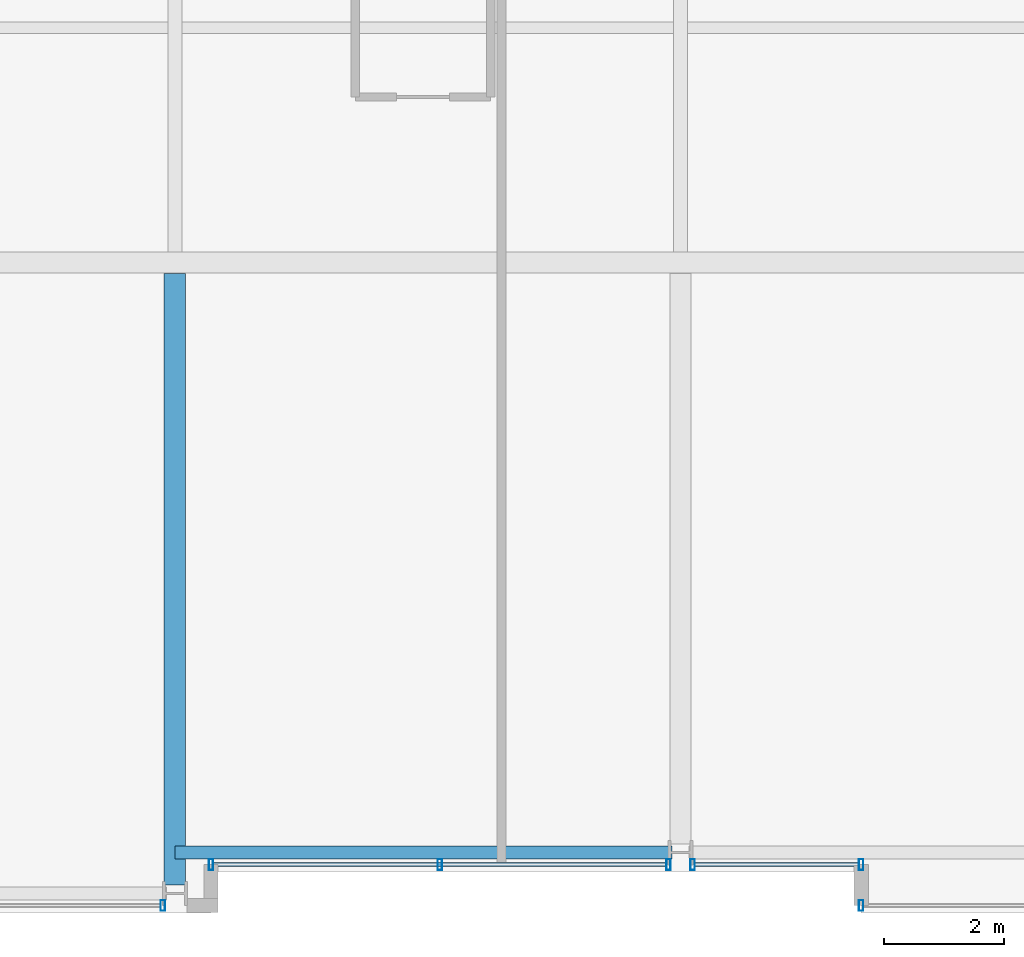
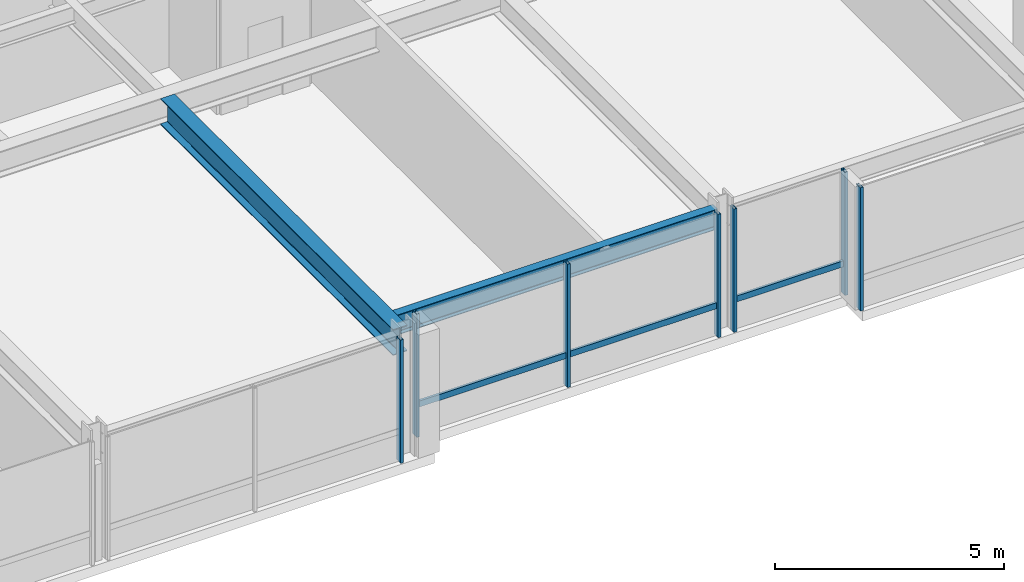
# One storey, part 5 of 32: 9 members, 2 beams, 4 elements without a shape of their own.
"""IFC4 building model written with IfcOpenShell, lengths in metres."""

from ifc_helpers import new_model, si_unit, direction, frame, origin, origin_2d, place, context, subcontext, project, spatial, hollow_rectangle, i_section, extrude, material, layer, layer_set, material_profile, profile_set, type_object, element, aggregate, save


model = new_model("IFC4")

# Units and contexts
model_context = context("Model", 3, precision=1e-05, world=origin(), true_north=direction((0.0, 1.0)))
body_context = subcontext(model_context, "Body", "Model", "MODEL_VIEW")
ifc_project = project(units=[si_unit("LENGTHUNIT", "METRE"), si_unit("AREAUNIT", "SQUARE_METRE"), si_unit("VOLUMEUNIT", "CUBIC_METRE"), si_unit("PLANEANGLEUNIT", "RADIAN"), si_unit("MASSUNIT", "GRAM", prefix="KILO")], contexts=[model_context])

# Site, building, storey
site_placement = place(None, origin())
site = spatial("IfcSite", under=ifc_project, at=site_placement, CompositionType="ELEMENT")
building_placement = place(site_placement, origin())
building = spatial("IfcBuilding", under=site, at=building_placement, Name="Drelvath Grand Hotel", CompositionType="ELEMENT")
storey_placement = place(building_placement, frame((0.0, 0.0, 164.60009765625)))
storey = spatial("IfcBuildingStorey", under=building, at=storey_placement, Name="L42", CompositionType="ELEMENT", Elevation=164.60009765625)

# Curtain wall, member
ifc_material_1 = material(Name="Brushed Pale-Silver Anodised Aluminium Frame", Category="aluminium")
ifc_layer = layer(ifc_material_1, 0.199951171875)
ifc_layer_set = layer_set([ifc_layer], Name="Brushed Pale-Silver Anodised Aluminium Frame")
curtain_wall_type = type_object("IfcCurtainWallType", Name="Stick Curtain Wall CW-04 Brushed Silver Upper-Mid", PredefinedType="NOTDEFINED", material=ifc_layer_set)
curtain_wall_1_placement = place(storey_placement, origin())
curtain_wall_1 = element("IfcCurtainWall", 1, at=curtain_wall_1_placement, inside=storey, type_object=curtain_wall_type, Name="L42 CW-04 Curtain Wall CW04-L42-SM1", PredefinedType="NOTDEFINED")
ifc_material_profile_1 = material_profile(ifc_material_1, hollow_rectangle(XDim=0.06494140625, YDim=0.159912109375, WallThickness=0.00390625, at=origin_2d()), Name="HSS160X65X4")
ifc_profile_set_1 = profile_set([ifc_material_profile_1], Name="Brushed Pale-Silver Anodised Aluminium Frame")
member_type_1 = type_object("IfcMemberType", Name="Curtain Wall Horizontal Transom CW-04 HSS160X65X4", PredefinedType="USERDEFINED", material=ifc_profile_set_1)
member_1_placement = place(storey_placement, frame((-0.239990234375, 0.800048828125, 0.822509765625), z_axis=(-1.0, 0.0, 0.0), x_axis=(0.0, -1.0, 0.0)))
member_1 = element("IfcMember", 2, at=member_1_placement, type_object=member_type_1, Name="CW04-L42-SM1 Sill Transom", ObjectType="TRANSOM", PredefinedType="USERDEFINED", context=body_context, shape_type="SweptSolid", body=[
    extrude(hollow_rectangle(XDim=0.06494140625, YDim=0.159912109375, WallThickness=0.00390625, at=origin_2d()), origin(), (0.0, 0.0, 1.0), 7.52001953125),
])

curtain_wall_2_placement = place(storey_placement, origin())
curtain_wall_2 = element("IfcCurtainWall", 3, at=curtain_wall_2_placement, inside=storey, type_object=curtain_wall_type, Name="L42 CW-04 Curtain Wall CW04-L42-SM2", PredefinedType="NOTDEFINED")
member_2_placement = place(storey_placement, frame((2.9599609375, 0.800048828125, 0.822509765625), z_axis=(-1.0, 0.0, 0.0), x_axis=(0.0, -1.0, 0.0)))
member_2 = element("IfcMember", 4, at=member_2_placement, type_object=member_type_1, Name="CW04-L42-SM2 Sill Transom", ObjectType="TRANSOM", PredefinedType="USERDEFINED", context=body_context, shape_type="SweptSolid", body=[
    extrude(hollow_rectangle(XDim=0.06494140625, YDim=0.159912109375, WallThickness=0.00390625, at=origin_2d()), origin(), (0.0, 0.0, 1.0), 2.719970703125),
])

curtain_wall_3_placement = place(storey_placement, origin())
curtain_wall_3 = element("IfcCurtainWall", 5, at=curtain_wall_3_placement, inside=storey, type_object=curtain_wall_type, Name="L42 CW-04 Curtain Wall CW04-L42-SE1", PredefinedType="NOTDEFINED")
ifc_material_profile_2 = material_profile(ifc_material_1, hollow_rectangle(XDim=0.074951171875, YDim=0.179931640625, WallThickness=0.0048828125, at=origin_2d()), Name="HSS180X75X5")
ifc_profile_set_2 = profile_set([ifc_material_profile_2], Name="Brushed Pale-Silver Anodised Aluminium Frame")
member_type_2 = type_object("IfcMemberType", Name="Curtain Wall Vertical Mullion CW-04 HSS180X75X5", PredefinedType="MULLION", material=ifc_profile_set_2)
member_3_placement = place(storey_placement, frame((3.0, 0.1201171875, 0.0), z_axis=(0.0, 0.0, 1.0), x_axis=(1.0, 0.0, 0.0)))
member_3 = element("IfcMember", 6, at=member_3_placement, type_object=member_type_2, Name="CW04-L42-SE1 Mullion 2", PredefinedType="MULLION", context=body_context, shape_type="SweptSolid", body=[
    extrude(hollow_rectangle(XDim=0.074951171875, YDim=0.179931640625, WallThickness=0.0048828125, at=origin_2d()), origin(), (0.0, 0.0, 1.0), 3.289794921875),
])
aggregate(curtain_wall_3, [member_3])

# Member
member_4_placement = place(storey_placement, frame((-0.2001953125, 0.800048828125, 0.0), z_axis=(0.0, 0.0, 1.0), x_axis=(1.0, 0.0, 0.0)))
member_4 = element("IfcMember", 7, at=member_4_placement, type_object=member_type_2, Name="CW04-L42-SM1 Mullion 1", PredefinedType="MULLION", context=body_context, shape_type="SweptSolid", body=[
    extrude(hollow_rectangle(XDim=0.074951171875, YDim=0.179931640625, WallThickness=0.0048828125, at=origin_2d()), origin(), (0.0, 0.0, 1.0), 3.289794921875),
])

member_5_placement = place(storey_placement, frame((-4.0, 0.800048828125, 0.0), z_axis=(0.0, 0.0, 1.0), x_axis=(1.0, 0.0, 0.0)))
member_5 = element("IfcMember", 8, at=member_5_placement, type_object=member_type_2, Name="CW04-L42-SM1 Mullion 2", PredefinedType="MULLION", context=body_context, shape_type="SweptSolid", body=[
    extrude(hollow_rectangle(XDim=0.074951171875, YDim=0.179931640625, WallThickness=0.0048828125, at=origin_2d()), origin(), (0.0, 0.0, 1.0), 3.289794921875),
])

member_6_placement = place(storey_placement, frame((-7.800048828125, 0.800048828125, 0.0), z_axis=(0.0, 0.0, 1.0), x_axis=(1.0, 0.0, 0.0)))
member_6 = element("IfcMember", 9, at=member_6_placement, type_object=member_type_2, Name="CW04-L42-SM1 Mullion 3", PredefinedType="MULLION", context=body_context, shape_type="SweptSolid", body=[
    extrude(hollow_rectangle(XDim=0.074951171875, YDim=0.179931640625, WallThickness=0.0048828125, at=origin_2d()), origin(), (0.0, 0.0, 1.0), 3.289794921875),
])

aggregate(curtain_wall_1, [member_4, member_5, member_6, member_1])

member_7_placement = place(storey_placement, frame((3.0, 0.800048828125, 0.0), z_axis=(0.0, 0.0, 1.0), x_axis=(1.0, 0.0, 0.0)))
member_7 = element("IfcMember", 10, at=member_7_placement, type_object=member_type_2, Name="CW04-L42-SM2 Mullion 1", PredefinedType="MULLION", context=body_context, shape_type="SweptSolid", body=[
    extrude(hollow_rectangle(XDim=0.074951171875, YDim=0.179931640625, WallThickness=0.0048828125, at=origin_2d()), origin(), (0.0, 0.0, 1.0), 3.289794921875),
])

member_8_placement = place(storey_placement, frame((0.2001953125, 0.800048828125, 0.0), z_axis=(0.0, 0.0, 1.0), x_axis=(1.0, 0.0, 0.0)))
member_8 = element("IfcMember", 11, at=member_8_placement, type_object=member_type_2, Name="CW04-L42-SM2 Mullion 2", PredefinedType="MULLION", context=body_context, shape_type="SweptSolid", body=[
    extrude(hollow_rectangle(XDim=0.074951171875, YDim=0.179931640625, WallThickness=0.0048828125, at=origin_2d()), origin(), (0.0, 0.0, 1.0), 3.289794921875),
])

aggregate(curtain_wall_2, [member_7, member_8, member_2])

# Curtain wall, member
curtain_wall_4_placement = place(storey_placement, origin())
curtain_wall_4 = element("IfcCurtainWall", 12, at=curtain_wall_4_placement, inside=storey, type_object=curtain_wall_type, Name="L42 CW-04 Curtain Wall CW04-L42-SW2", PredefinedType="NOTDEFINED")
member_9_placement = place(storey_placement, frame((-8.60009765625, 0.1201171875, 0.0), z_axis=(0.0, 0.0, 1.0), x_axis=(1.0, 0.0, 0.0)))
member_9 = element("IfcMember", 13, at=member_9_placement, type_object=member_type_2, Name="CW04-L42-SW2 Mullion 1", PredefinedType="MULLION", context=body_context, shape_type="SweptSolid", body=[
    extrude(hollow_rectangle(XDim=0.074951171875, YDim=0.179931640625, WallThickness=0.0048828125, at=origin_2d()), origin(), (0.0, 0.0, 1.0), 3.289794921875),
])
aggregate(curtain_wall_4, [member_9])

# Beams
ifc_material_2 = material(Name="Steel ASTM A992 Gr 50", Category="steel")
ifc_material_profile_3 = material_profile(ifc_material_2, i_section(OverallWidth=0.210205078125, OverallDepth=0.53662109375, WebThickness=0.010986328125, FlangeThickness=0.017333984375, FilletRadius=0.01806640625, at=origin_2d()), Name="W21X68")
ifc_profile_set_3 = profile_set([ifc_material_profile_3], Name="Steel ASTM A992 Gr 50")
beam_type_1 = type_object("IfcBeamType", Name="Perimeter Spandrel Beam W21X68", PredefinedType="SPANDREL", material=ifc_profile_set_3)
beam_1_placement = place(storey_placement, frame((-8.39990234375, 1.0, 3.021484375), z_axis=(1.0, 0.0, 0.0), x_axis=(0.0, 1.0, 0.0)))
element("IfcBeam", 14, at=beam_1_placement, inside=storey, type_object=beam_type_1, Name="L42 Spandrel South Mid W", PredefinedType="SPANDREL", context=body_context, shape_type="SweptSolid", body=[
    extrude(i_section(OverallWidth=0.210205078125, OverallDepth=0.53662109375, WebThickness=0.010986328125, FlangeThickness=0.017333984375, FilletRadius=0.01806640625, at=origin_2d()), origin(), (0.0, 0.0, 1.0), 8.260009765625),
])
ifc_material_profile_4 = material_profile(ifc_material_2, i_section(OverallWidth=0.354736328125, OverallDepth=0.695556640625, WebThickness=0.015380859375, FlangeThickness=0.025146484375, FilletRadius=0.02392578125, at=origin_2d()), Name="W27X146")
ifc_profile_set_4 = profile_set([ifc_material_profile_4], Name="Steel ASTM A992 Gr 50")
beam_type_2 = type_object("IfcBeamType", Name="Primary Floor Girder W27X146", PredefinedType="BEAM", material=ifc_profile_set_4)
beam_2_placement = place(storey_placement, frame((-8.39990234375, 0.4599609375, 2.942138671875), z_axis=(0.0, 1.0, 0.0), x_axis=(-1.0, 0.0, 0.0)))
element("IfcBeam", 15, at=beam_2_placement, inside=storey, type_object=beam_type_2, Name="L42 South Wing Girder 4", PredefinedType="BEAM", context=body_context, shape_type="SweptSolid", body=[
    extrude(i_section(OverallWidth=0.354736328125, OverallDepth=0.695556640625, WebThickness=0.015380859375, FlangeThickness=0.025146484375, FilletRadius=0.02392578125, at=origin_2d()), origin(), (0.0, 0.0, 1.0), 10.16259765625),
])

save(model, "model.ifc")
